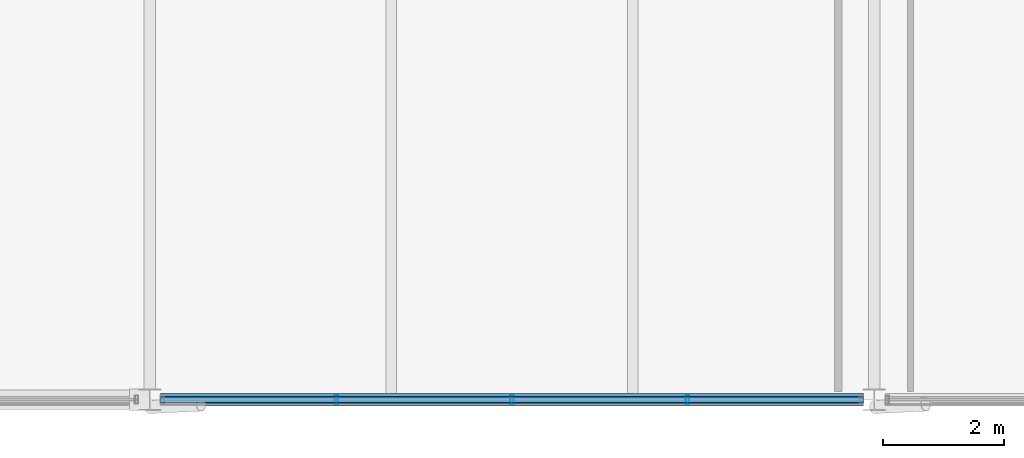
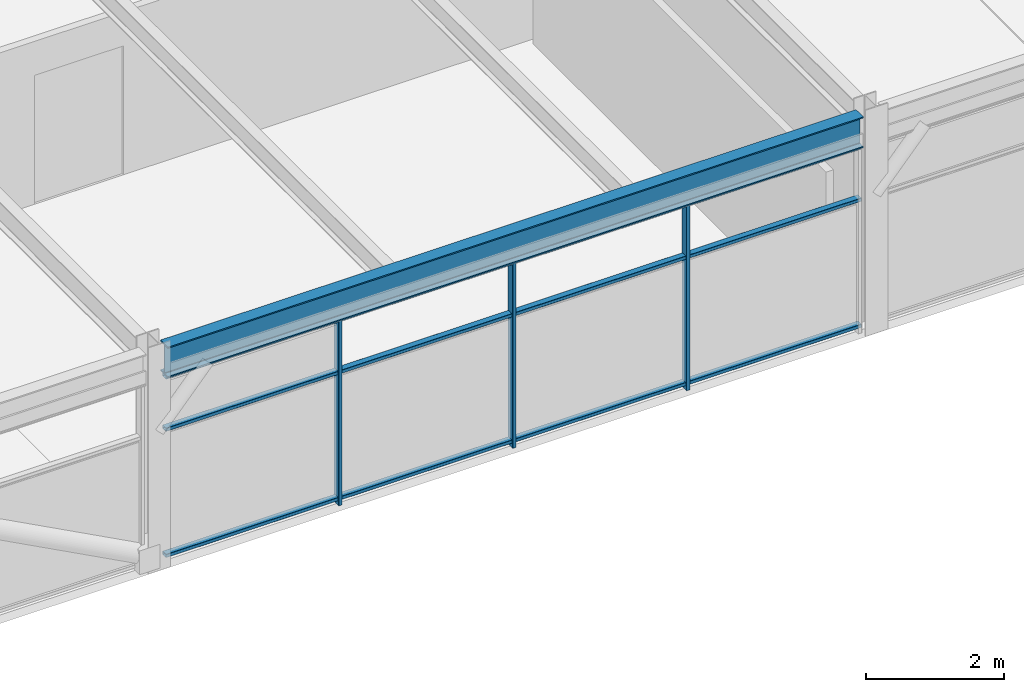
# One storey, part 10 of 32: 6 members, 1 beam, 1 element without a shape of its own.
"""IFC4 building model written with IfcOpenShell, lengths in metres."""

import ifcopenshell
import ifcopenshell.guid

model = None  # the IFC model being written
_history = None  # IfcOwnerHistory: only IFC2X3 demands one
_inside = {}  # id of a spatial element -> (the spatial element, [elements in it])
_under = {}  # id of a project, library or spatial element -> (it, [spatial elements below it])
_declared = {}  # id of a project -> (the project, [libraries it declares])
_typed = {}  # id of a type object -> (the type object, [elements of that type])
_made_of = {}  # id of a material, layer set ... -> (it, [elements and type objects made of it])


def new_model(schema):
    """Start an empty IFC model of exactly this schema.

    Asked for "IFC4X3", IfcOpenShell would pick the latest addendum, in which some entities
    have other attributes; the version numbers below select the first issue.
    IFC2X3 requires an IfcOwnerHistory on every rooted entity: one is made here for all.
    """
    global model, _history
    if schema == "IFC4X3":
        model = ifcopenshell.file(schema_version=(4, 3, 0, 0))
    else:
        model = ifcopenshell.file(schema=schema)
    _inside.clear()
    _under.clear()
    _declared.clear()
    _typed.clear()
    _made_of.clear()
    _history = None
    if model.schema == "IFC2X3":
        org = make("IfcOrganization", Name="unknown")
        user = make(
            "IfcPersonAndOrganization",
            ThePerson=make("IfcPerson", FamilyName="unknown"),
            TheOrganization=org,
        )
        app = make(
            "IfcApplication",
            ApplicationDeveloper=org,
            Version="unknown",
            ApplicationFullName="unknown",
            ApplicationIdentifier="unknown",
        )
        _history = make(
            "IfcOwnerHistory",
            OwningUser=user,
            OwningApplication=app,
            ChangeAction="ADDED",
            CreationDate=0,
        )
    return model


def make(cls, **values):
    """One entity of the class cls with the attributes given. An attribute that is None is left unset."""
    return model.create_entity(
        cls, **{name: value for name, value in values.items() if value is not None}
    )


def rooted(cls, **values):
    """An entity with a GlobalId (a new one), such as an element, a storey or a relation."""
    return make(cls, GlobalId=ifcopenshell.guid.new(), OwnerHistory=_history, **values)


def si_unit(unit_type, name, prefix=None):
    """IfcSIUnit, for example si_unit("LENGTHUNIT", "METRE", prefix="MILLI")."""
    return make("IfcSIUnit", UnitType=unit_type, Prefix=prefix, Name=name)


def assignment(units):
    """IfcUnitAssignment: the units of a project."""
    return None if units is None else make("IfcUnitAssignment", Units=units)


def point(xyz):
    """IfcCartesianPoint."""
    return None if xyz is None else make("IfcCartesianPoint", Coordinates=xyz)


def direction(xyz):
    """IfcDirection."""
    return None if xyz is None else make("IfcDirection", DirectionRatios=xyz)


def frame(location, z_axis=None, x_axis=None):
    """IfcAxis2Placement3D, a coordinate frame: its origin and axes. An axis left out is left unset."""
    return make(
        "IfcAxis2Placement3D",
        Location=point(location),
        Axis=direction(z_axis),
        RefDirection=direction(x_axis),
    )


def frame_2d(location, x_axis=None):
    """IfcAxis2Placement2D, a coordinate frame in the plane: its origin and x axis."""
    return make(
        "IfcAxis2Placement2D", Location=point(location), RefDirection=direction(x_axis)
    )


def origin():
    """The frame at (0, 0, 0) with its axes left unset."""
    return frame((0.0, 0.0, 0.0))


def origin_2d():
    """The frame at (0, 0) in the plane with its x axis left unset."""
    return frame_2d((0.0, 0.0))


def place(relative_to, where):
    """IfcLocalPlacement: puts the frame where relative to a parent placement (None: the world)."""
    return make(
        "IfcLocalPlacement", PlacementRelTo=relative_to, RelativePlacement=where
    )


def context(
    kind, dimensions, precision=None, world=None, true_north=None, identifier=None
):
    """IfcGeometricRepresentationContext, for example the 3D "Model" context."""
    return make(
        "IfcGeometricRepresentationContext",
        ContextIdentifier=identifier,
        ContextType=kind,
        CoordinateSpaceDimension=dimensions,
        Precision=precision,
        WorldCoordinateSystem=world,
        TrueNorth=true_north,
    )


def subcontext(parent, identifier, kind, view, scale=None):
    """IfcGeometricRepresentationSubContext, for example "Body" below "Model"."""
    return make(
        "IfcGeometricRepresentationSubContext",
        ContextIdentifier=identifier,
        ContextType=kind,
        ParentContext=parent,
        TargetScale=scale,
        TargetView=view,
    )


def project(units=None, contexts=None):
    """IfcProject with its units and contexts."""
    return rooted(
        "IfcProject",
        Name="project",
        RepresentationContexts=contexts,
        UnitsInContext=assignment(units),
    )


def spatial(cls, under=None, at=None, **own):
    """A site, building, storey or space (cls), placed at a placement, below another one or the project."""
    s = rooted(cls, ObjectPlacement=at, **own)
    if under is not None:
        _under.setdefault(under.id(), (under, []))[1].append(s)
    return s


def profile(cls, at=None, kind="AREA", **sizes):
    """A parametric profile (cls). Its sizes go by their IFC names, for example OverallWidth=200.0."""
    return make(cls, ProfileType=kind, Position=at, **sizes)


def hollow_rectangle(**sizes):
    """IfcRectangleHollowProfileDef."""
    return profile("IfcRectangleHollowProfileDef", **sizes)


def i_section(**sizes):
    """IfcIShapeProfileDef."""
    return profile("IfcIShapeProfileDef", **sizes)


def extrude(swept, where, along, depth):
    """IfcExtrudedAreaSolid: the profile swept, set in the frame where, extruded along a direction by depth."""
    return make(
        "IfcExtrudedAreaSolid",
        SweptArea=swept,
        Position=where,
        ExtrudedDirection=direction(along),
        Depth=depth,
    )


def shape(context_of_items, identifier, shape_type, items):
    """IfcShapeRepresentation: the items that make up one representation, for example the "Body"."""
    return make(
        "IfcShapeRepresentation",
        ContextOfItems=context_of_items,
        RepresentationIdentifier=identifier,
        RepresentationType=shape_type,
        Items=items,
    )


def material(Name=None, Category=None):
    """IfcMaterial."""
    return make("IfcMaterial", Name=Name, Category=Category)


def material_profile(
    of_material, cross_section, Name=None, Category=None, Priority=None
):
    """IfcMaterialProfile: a cross section and its material."""
    return make(
        "IfcMaterialProfile",
        Name=Name,
        Material=of_material,
        Profile=cross_section,
        Priority=Priority,
        Category=Category,
    )


def profile_set(profiles, Name=None, composite=None):
    """IfcMaterialProfileSet."""
    return make(
        "IfcMaterialProfileSet",
        Name=Name,
        MaterialProfiles=profiles,
        CompositeProfile=composite,
    )


def made_of(thing, what):
    """Note that an element or type object is made of a material, layer set ...; save() writes the relation."""
    if what is not None:
        _made_of.setdefault(what.id(), (what, []))[1].append(thing)
    return thing


def type_object(cls, material=None, **own):
    """A type object (cls), such as IfcWallType, which elements share."""
    return made_of(rooted(cls, **own), material)


def element(
    cls,
    number,
    at=None,
    inside=None,
    cuts=None,
    type_object=None,
    material=None,
    context=None,
    identifier="Body",
    shape_type=None,
    held_by="IfcProductDefinitionShape",
    body=None,
    shapes=None,
    **own,
):
    """One element of the class cls, such as IfcWall. Its Tag is "e" and its number.

    at: its placement. inside: the storey or other place that contains it. cuts: it is an
    opening in that element (IfcRelVoidsElement). A single representation is given by context,
    identifier, shape_type and body (its items); several are given by shapes. held_by: the class
    of the entity that holds the representations. save() writes the other relations.
    """
    e = rooted(cls, Tag="e%d" % number, ObjectPlacement=at, **own)
    if body is not None:
        shapes = [shape(context, identifier, shape_type, body)]
    if shapes is not None:
        e.Representation = make(held_by, Representations=shapes)
    if inside is not None:
        _inside.setdefault(inside.id(), (inside, []))[1].append(e)
    if cuts is not None:
        rooted(
            "IfcRelVoidsElement", RelatingBuildingElement=cuts, RelatedOpeningElement=e
        )
    if type_object is not None:
        _typed.setdefault(type_object.id(), (type_object, []))[1].append(e)
    return made_of(e, material)


def aggregate(whole, parts):
    """IfcRelAggregates: a whole, such as a stair, and the parts it consists of."""
    return rooted("IfcRelAggregates", RelatingObject=whole, RelatedObjects=parts)


def save(model, path):
    """Write the relations noted so far, then the file.

    IfcRelAggregates (storeys below a building ...), IfcRelContainedInSpatialStructure (elements
    in a storey), IfcRelDefinesByType, IfcRelAssociatesMaterial and IfcRelDeclares: one each for
    every whole, place, type object, material and project.
    """
    for whole, parts in _under.values():
        aggregate(whole, parts)
    for where, things in _inside.values():
        rooted(
            "IfcRelContainedInSpatialStructure",
            RelatedElements=things,
            RelatingStructure=where,
        )
    for kind, things in _typed.values():
        rooted("IfcRelDefinesByType", RelatedObjects=things, RelatingType=kind)
    for what, things in _made_of.values():
        rooted("IfcRelAssociatesMaterial", RelatedObjects=things, RelatingMaterial=what)
    for by, libraries in _declared.values():
        rooted("IfcRelDeclares", RelatingContext=by, RelatedDefinitions=libraries)
    model.write(path)


model = new_model("IFC4")

# Units and contexts
model_context = context("Model", 3, precision=1e-05, world=origin(), true_north=direction((0.0, 1.0)))
body_context = subcontext(model_context, "Body", "Model", "MODEL_VIEW")
ifc_project = project(units=[si_unit("LENGTHUNIT", "METRE"), si_unit("AREAUNIT", "SQUARE_METRE"), si_unit("VOLUMEUNIT", "CUBIC_METRE"), si_unit("PLANEANGLEUNIT", "RADIAN"), si_unit("MASSUNIT", "GRAM", prefix="KILO")], contexts=[model_context])

# Site, building, storey
site_placement = place(None, origin())
site = spatial("IfcSite", under=ifc_project, at=site_placement, CompositionType="ELEMENT")
building_placement = place(site_placement, origin())
building = spatial("IfcBuilding", under=site, at=building_placement, Name="Girod Span Mobility Hub", CompositionType="ELEMENT")
storey_placement = place(building_placement, frame((0.0, 0.0, 61.60009765625)))
storey = spatial("IfcBuildingStorey", under=building, at=storey_placement, Name="L15", CompositionType="ELEMENT", Elevation=61.60009765625)

# Beam
ifc_material_1 = material(Name="Steel A992 Grade 50", Category="steel")
ifc_material_profile_1 = material_profile(ifc_material_1, i_section(OverallWidth=0.2119140625, OverallDepth=0.5439453125, WebThickness=0.01318359375, FlangeThickness=0.021240234375, FilletRadius=0.014892578125, at=origin_2d()), Name="W21X83")
ifc_profile_set_1 = profile_set([ifc_material_profile_1], Name="Steel A992 Grade 50")
beam_type = type_object("IfcBeamType", Name="BM-STL-W21X83", PredefinedType="SPANDREL", material=ifc_profile_set_1)
beam_placement = place(storey_placement, frame((72.181396484375, 45.0, 3.56787109375), z_axis=(1.0, 0.0, 0.0), x_axis=(0.0, 1.0, 0.0)))
element("IfcBeam", 1, at=beam_placement, inside=storey, type_object=beam_type, Name="Girder 7-8/D L15", PredefinedType="SPANDREL", context=body_context, shape_type="SweptSolid", body=[
    extrude(i_section(OverallWidth=0.2119140625, OverallDepth=0.5439453125, WebThickness=0.01318359375, FlangeThickness=0.021240234375, FilletRadius=0.014892578125, at=origin_2d()), origin(), (0.0, 0.0, 1.0), 11.63720703125),
])

# Curtain wall, members
ifc_material_2 = material(Name="Thermally Broken Anodised Aluminium", Category="aluminium")
curtain_wall_type = type_object("IfcCurtainWallType", Name="CW-1164X330", PredefinedType="USERDEFINED", material=ifc_material_2)
curtain_wall_placement = place(storey_placement, origin())
curtain_wall = element("IfcCurtainWall", 2, at=curtain_wall_placement, inside=storey, type_object=curtain_wall_type, Name="Unitised Curtain Wall CW-L15-S07 L15", ObjectType="UNITISED CURTAIN WALL", PredefinedType="USERDEFINED")
ifc_material_3 = material(Name="Thermally Broken Anodised Aluminium", Category="aluminium")
ifc_material_profile_2 = material_profile(ifc_material_3, hollow_rectangle(XDim=0.139892578125, YDim=0.06005859375, WallThickness=0.00341796875, InnerFilletRadius=0.00341796875, OuterFilletRadius=0.007080078125, at=origin_2d()), Name="CW-ML-60X140")
ifc_profile_set_2 = profile_set([ifc_material_profile_2], Name="Thermally Broken Anodised Aluminium")
member_type_1 = type_object("IfcMemberType", Name="CWM-ML-4", PredefinedType="MULLION", material=ifc_profile_set_2)
member_1_placement = place(storey_placement, frame((75.09130859375, 45.0, 0.0), z_axis=(0.0, 0.0, 1.0), x_axis=(0.0, 1.0, 0.0)))
member_1 = element("IfcMember", 3, at=member_1_placement, type_object=member_type_1, Name="Curtain Wall Mullion CW-L15-S07-M1", PredefinedType="MULLION", context=body_context, shape_type="SweptSolid", body=[
    extrude(hollow_rectangle(XDim=0.139892578125, YDim=0.06005859375, WallThickness=0.00341796875, InnerFilletRadius=0.00341796875, OuterFilletRadius=0.007080078125, at=origin_2d()), origin(), (0.0, 0.0, 1.0), 3.2958984375),
])
member_2_placement = place(storey_placement, frame((78.0, 45.0, 0.0), z_axis=(0.0, 0.0, 1.0), x_axis=(0.0, 1.0, 0.0)))
member_2 = element("IfcMember", 4, at=member_2_placement, type_object=member_type_1, Name="Curtain Wall Mullion CW-L15-S07-M2", PredefinedType="MULLION", context=body_context, shape_type="SweptSolid", body=[
    extrude(hollow_rectangle(XDim=0.139892578125, YDim=0.06005859375, WallThickness=0.00341796875, InnerFilletRadius=0.00341796875, OuterFilletRadius=0.007080078125, at=origin_2d()), origin(), (0.0, 0.0, 1.0), 3.2958984375),
])
member_3_placement = place(storey_placement, frame((80.90869140625, 45.0, 0.0), z_axis=(0.0, 0.0, 1.0), x_axis=(0.0, 1.0, 0.0)))
member_3 = element("IfcMember", 5, at=member_3_placement, type_object=member_type_1, Name="Curtain Wall Mullion CW-L15-S07-M3", PredefinedType="MULLION", context=body_context, shape_type="SweptSolid", body=[
    extrude(hollow_rectangle(XDim=0.139892578125, YDim=0.06005859375, WallThickness=0.00341796875, InnerFilletRadius=0.00341796875, OuterFilletRadius=0.007080078125, at=origin_2d()), origin(), (0.0, 0.0, 1.0), 3.2958984375),
])
ifc_material_4 = material(Name="Thermally Broken Anodised Aluminium", Category="aluminium")
ifc_material_profile_3 = material_profile(ifc_material_4, hollow_rectangle(XDim=0.10498046875, YDim=0.06005859375, WallThickness=0.00341796875, InnerFilletRadius=0.00341796875, OuterFilletRadius=0.007080078125, at=origin_2d()), Name="CW-TR-60X105")
ifc_profile_set_3 = profile_set([ifc_material_profile_3], Name="Thermally Broken Anodised Aluminium")
member_type_2 = type_object("IfcMemberType", Name="CWM-TR-4", PredefinedType="USERDEFINED", material=ifc_profile_set_3)
member_4_placement = place(storey_placement, frame((72.1826171875, 45.0, 0.10986328125), z_axis=(1.0, 0.0, 0.0), x_axis=(0.0, 1.0, 0.0)))
member_4 = element("IfcMember", 6, at=member_4_placement, type_object=member_type_2, Name="Curtain Wall Transom CW-L15-S07-T1", ObjectType="TRANSOM", PredefinedType="USERDEFINED", context=body_context, shape_type="SweptSolid", body=[
    extrude(hollow_rectangle(XDim=0.10498046875, YDim=0.06005859375, WallThickness=0.00341796875, InnerFilletRadius=0.00341796875, OuterFilletRadius=0.007080078125, at=origin_2d()), origin(), (0.0, 0.0, 1.0), 11.634765625),
])
member_5_placement = place(storey_placement, frame((72.1826171875, 45.0, 2.343017578125), z_axis=(1.0, 0.0, 0.0), x_axis=(0.0, 1.0, 0.0)))
member_5 = element("IfcMember", 7, at=member_5_placement, type_object=member_type_2, Name="Curtain Wall Transom CW-L15-S07-T2", ObjectType="TRANSOM", PredefinedType="USERDEFINED", context=body_context, shape_type="SweptSolid", body=[
    extrude(hollow_rectangle(XDim=0.10498046875, YDim=0.06005859375, WallThickness=0.00341796875, InnerFilletRadius=0.00341796875, OuterFilletRadius=0.007080078125, at=origin_2d()), origin(), (0.0, 0.0, 1.0), 11.634765625),
])
member_6_placement = place(storey_placement, frame((72.1826171875, 45.0, 3.265869140625), z_axis=(1.0, 0.0, 0.0), x_axis=(0.0, 1.0, 0.0)))
member_6 = element("IfcMember", 8, at=member_6_placement, type_object=member_type_2, Name="Curtain Wall Transom CW-L15-S07-T3", ObjectType="TRANSOM", PredefinedType="USERDEFINED", context=body_context, shape_type="SweptSolid", body=[
    extrude(hollow_rectangle(XDim=0.10498046875, YDim=0.06005859375, WallThickness=0.00341796875, InnerFilletRadius=0.00341796875, OuterFilletRadius=0.007080078125, at=origin_2d()), origin(), (0.0, 0.0, 1.0), 11.634765625),
])
aggregate(curtain_wall, [member_1, member_2, member_3, member_4, member_5, member_6])

save(model, "model.ifc")
